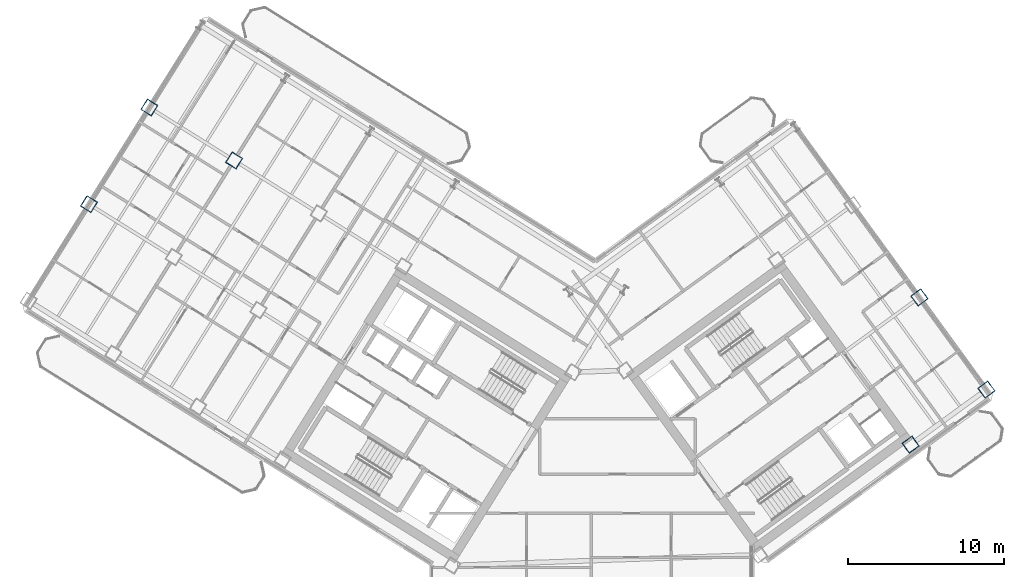
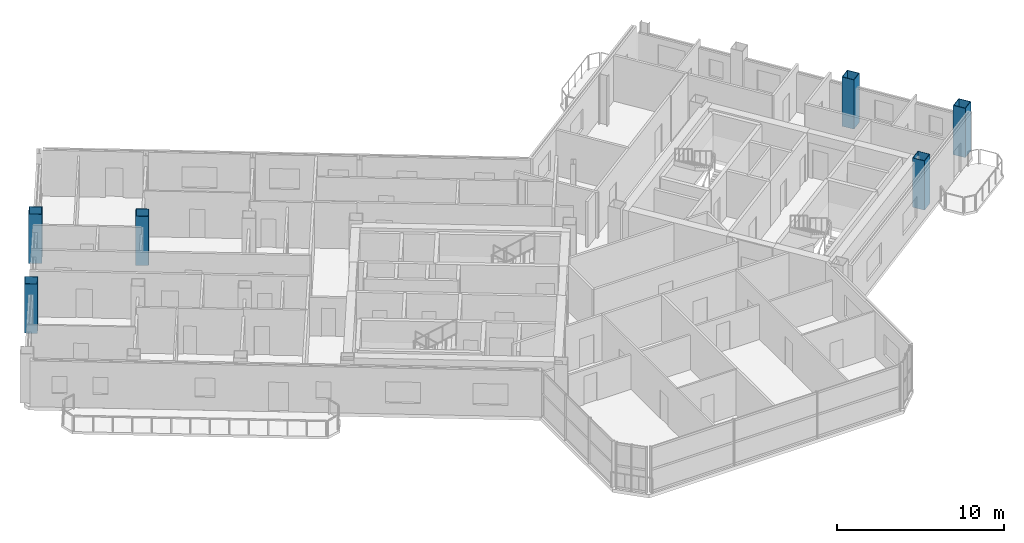
# One storey, part 2 of 21: 6 columns.
"""IFC4 building model written with IfcOpenShell, lengths in metres."""

from ifc_helpers import new_model, si_unit, direction, frame, origin, origin_2d, place, context, subcontext, project, spatial, hollow_rectangle, extrude, source, transform, mapped, material, material_profile, profile_set, type_object, element, save


model = new_model("IFC4")

# Units and contexts
model_context = context("Model", 3, precision=1e-05, world=origin(), true_north=direction((0.0, 1.0)))
body_context = subcontext(model_context, "Body", "Model", "MODEL_VIEW")
ifc_project = project(units=[si_unit("LENGTHUNIT", "METRE"), si_unit("AREAUNIT", "SQUARE_METRE"), si_unit("VOLUMEUNIT", "CUBIC_METRE"), si_unit("PLANEANGLEUNIT", "RADIAN"), si_unit("MASSUNIT", "GRAM", prefix="KILO")], contexts=[model_context])

# Site, building, storey
site_placement = place(None, origin())
site = spatial("IfcSite", under=ifc_project, at=site_placement, CompositionType="ELEMENT")
building_placement = place(site_placement, origin())
building = spatial("IfcBuilding", under=site, at=building_placement, Name="Tlacorven Tower", CompositionType="ELEMENT")
storey_placement = place(building_placement, frame((0.0, 0.0, 184.199951171875)))
storey = spatial("IfcBuildingStorey", under=building, at=storey_placement, Name="L46", CompositionType="ELEMENT", Elevation=184.199951171875)

# Columns
ifc_material = material(Name="Steel S460M", Category="steel")
ifc_material_profile = material_profile(ifc_material, hollow_rectangle(XDim=0.800048828125, YDim=0.800048828125, WallThickness=0.031982421875, at=origin_2d()), Name="BOX 800X800X32")
ifc_profile_set = profile_set([ifc_material_profile], Name="Steel S460M")
column_type = type_object("IfcColumnType", Name="COL-TWR-S3", PredefinedType="COLUMN", material=ifc_profile_set)
shared_shape = source(origin(), body_context, "Body", "SweptSolid", [
    extrude(hollow_rectangle(XDim=0.800048828125, YDim=0.800048828125, WallThickness=0.031982421875, at=origin_2d()), origin(), (0.0, 0.0, 1.0), 3.60009765625),
])
for number, where, z_axis, x_axis, name in (
    (1, (19.072998046875, 38.034423828125, 0.0), (0.0, 0.0, 1.0), (-0.848048096156, 0.529919264233, 0.0), "L46 column COL-L46-W5-2"),
    (2, (13.6455078125, 41.42578125, 0.0), (0.0, 0.0, 1.0), (-0.848048096156, 0.529919264233, 0.0), "L46 column COL-L46-W6-2"),
    (3, (9.777099609375, 35.235107421875, 0.0), (0.0, 0.0, 1.0), (-0.848048096156, 0.529919264233, 0.0), "L46 column COL-L46-W6-3"),
    (4, (62.41357421875, 19.826904296875, 0.0), (0.0, 0.0, 1.0), (0.809016994375, 0.587785252292, 0.0), "L46 column COL-L46-E3-1"),
    (5, (67.267822265625, 23.353515625, 0.0), (0.0, 0.0, 1.0), (0.809016994375, 0.587785252292, 0.0), "L46 column COL-L46-E4-1"),
    (6, (62.976806640625, 29.25927734375, 0.0), (0.0, 0.0, 1.0), (0.809016994375, 0.587785252292, 0.0), "L46 column COL-L46-E4-2"),
):
    element("IfcColumn", number, at=place(storey_placement, frame(where, z_axis=z_axis, x_axis=x_axis)), inside=storey, type_object=column_type, Name=name, PredefinedType="COLUMN", context=body_context, shape_type="MappedRepresentation", body=[
        mapped(shared_shape, transform((0.0, 0.0, 0.0), scale=1.0)),
    ])

save(model, "model.ifc")
